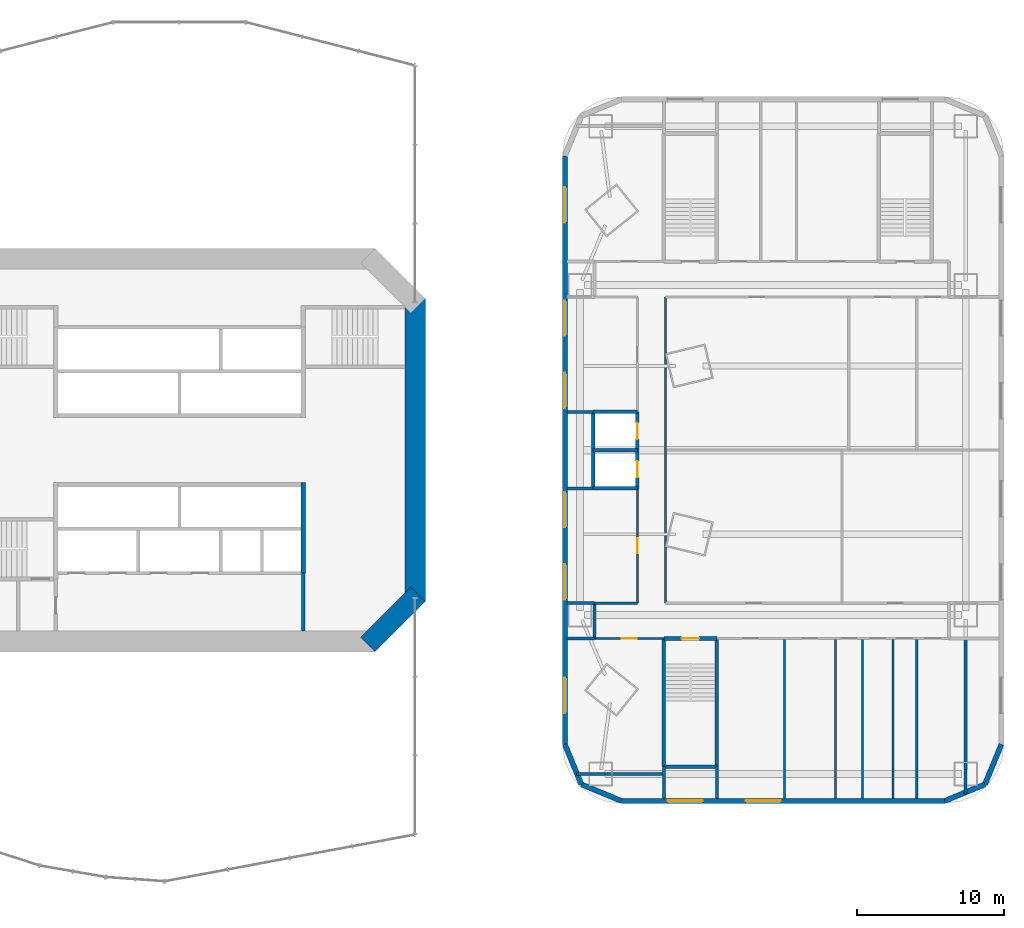
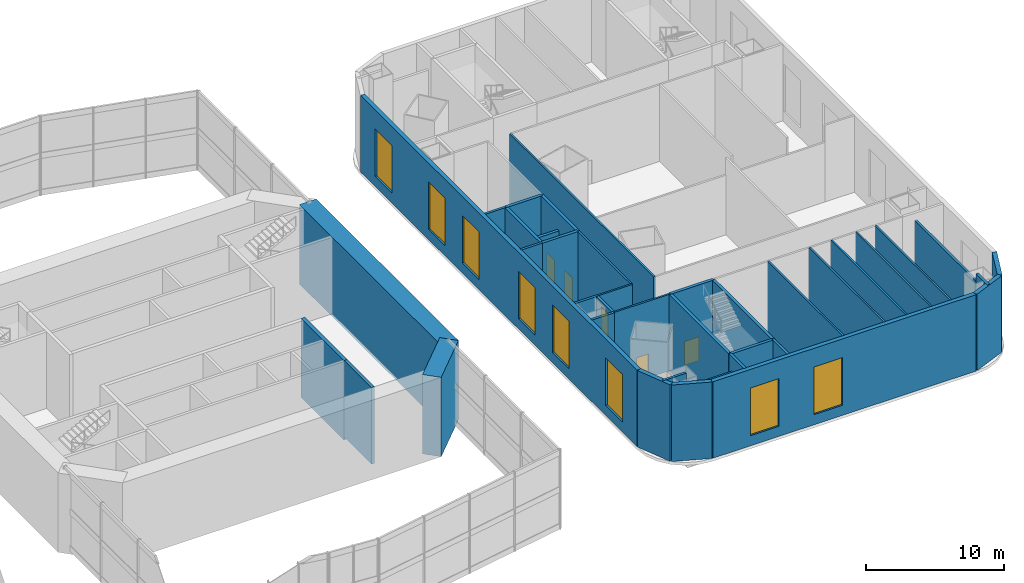
# One storey, part 13 of 19: 39 walls, 8 windows, 5 doors, 13 openings.
"""IFC4 building model written with IfcOpenShell, lengths in metres."""

from ifc_helpers import new_model, si_unit, direction, frame, frame_2d, origin, place, context, subcontext, project, spatial, rectangle, extrude, material, layer, layer_set, type_object, element, fill, save


model = new_model("IFC4")

# Units and contexts
model_context = context("Model", 3, precision=1e-05, world=origin(), true_north=direction((0.0, 1.0)))
body_context = subcontext(model_context, "Body", "Model", "MODEL_VIEW")
ifc_project = project(units=[si_unit("LENGTHUNIT", "METRE"), si_unit("AREAUNIT", "SQUARE_METRE"), si_unit("VOLUMEUNIT", "CUBIC_METRE"), si_unit("PLANEANGLEUNIT", "RADIAN"), si_unit("MASSUNIT", "GRAM", prefix="KILO")], contexts=[model_context])

# Site, building, storey
site_placement = place(None, origin())
site = spatial("IfcSite", under=ifc_project, at=site_placement, CompositionType="ELEMENT")
building_placement = place(site_placement, origin())
building = spatial("IfcBuilding", under=site, at=building_placement, Name="Marenthal Gate Tower", CompositionType="ELEMENT")
storey_placement = place(building_placement, frame((0.0, 0.0, 12.0)))
storey = spatial("IfcBuildingStorey", under=building, at=storey_placement, Name="L01", CompositionType="ELEMENT", Elevation=12.0)

# Walls
ifc_material_1 = material(Name="Concrete 60 MPa", Category="concrete")
ifc_layer_1 = layer(ifc_material_1, 1.39990234375)
ifc_layer_set_1 = layer_set([ifc_layer_1], Name="Core shear wall 1400")
wall_type_1 = type_object("IfcWallType", Name="Core shear wall 1400", PredefinedType="SHEAR", material=ifc_layer_set_1)
wall_1_placement = place(storey_placement, frame((12.794921875, -13.205078125, -0.25), z_axis=(0.0, 0.0, 1.0), x_axis=(0.707106781187, 0.707106781187, 0.0)))
element("IfcWall", 1, at=wall_1_placement, inside=storey, type_object=wall_type_1, Name="Core wall 01", PredefinedType="SHEAR", context=body_context, shape_type="SweptSolid", body=[
    extrude(rectangle(XDim=4.82275390625, YDim=1.39990234375, at=frame_2d((2.411376953125, 0.0))), origin(), (0.0, 0.0, 1.0), 7.0),
])
wall_2_placement = place(storey_placement, frame((16.0, -10.289794921875, -0.25), z_axis=(0.0, 0.0, 1.0), x_axis=(0.0, 1.0, 0.0)))
element("IfcWall", 2, at=wall_2_placement, inside=storey, type_object=wall_type_1, Name="Core wall 02", PredefinedType="SHEAR", context=body_context, shape_type="SweptSolid", body=[
    extrude(rectangle(XDim=20.57958984375, YDim=1.39990234375, at=frame_2d((10.289794921875, 0.0))), origin(), (0.0, 0.0, 1.0), 7.0),
])
ifc_material_2 = material(Name="Concrete 50 MPa", Category="concrete")
ifc_layer_2 = layer(ifc_material_2, 0.300048828125)
ifc_layer_set_2 = layer_set([ifc_layer_2], Name="Hoistway shear wall 300")
wall_type_2 = type_object("IfcWallType", Name="Hoistway shear wall 300", PredefinedType="SHEAR", material=ifc_layer_set_2)
wall_3_placement = place(storey_placement, frame((8.39990234375, -8.35009765625, -0.25), z_axis=(0.0, 0.0, 1.0), x_axis=(0.0, 1.0, 0.0)))
element("IfcWall", 3, at=wall_3_placement, inside=storey, type_object=wall_type_2, Name="Hoistway wall 33", PredefinedType="SHEAR", context=body_context, shape_type="SweptSolid", body=[
    extrude(rectangle(XDim=6.150146484375, YDim=0.300048828125, at=frame_2d((3.0751953125, 0.0))), origin(), (0.0, 0.0, 1.0), 7.0),
])
ifc_material_3 = material(Name="Concrete 40 MPa", Category="concrete")
ifc_layer_3 = layer(ifc_material_3, 0.25)
ifc_layer_set_3 = layer_set([ifc_layer_3], Name="Hoistway wall 250")
wall_type_3 = type_object("IfcWallType", Name="Hoistway wall 250", PredefinedType="STANDARD", material=ifc_layer_set_3)
wall_4_placement = place(storey_placement, frame((28.10009765625, -2.60009765625, 0.0), z_axis=(0.0, 0.0, 1.0), x_axis=(1.0, 0.0, 0.0)))
element("IfcWall", 4, at=wall_4_placement, inside=storey, type_object=wall_type_3, Name="Hoistway wall 37", PredefinedType="STANDARD", context=body_context, shape_type="SweptSolid", body=[
    extrude(rectangle(XDim=3.0, YDim=0.25, at=frame_2d((1.5, 0.0))), origin(), (0.0, 0.0, 1.0), 6.75),
])
wall_5_placement = place(storey_placement, frame((28.10009765625, 0.0, 0.0), z_axis=(0.0, 0.0, 1.0), x_axis=(1.0, 0.0, 0.0)))
element("IfcWall", 5, at=wall_5_placement, inside=storey, type_object=wall_type_3, Name="Hoistway wall 39", PredefinedType="STANDARD", context=body_context, shape_type="SweptSolid", body=[
    extrude(rectangle(XDim=3.0, YDim=0.25, at=frame_2d((1.5, 0.0))), origin(), (0.0, 0.0, 1.0), 5.25),
])
wall_6_placement = place(storey_placement, frame((28.10009765625, 2.60009765625, 0.0), z_axis=(0.0, 0.0, 1.0), x_axis=(1.0, 0.0, 0.0)))
element("IfcWall", 6, at=wall_6_placement, inside=storey, type_object=wall_type_3, Name="Hoistway wall 41", PredefinedType="STANDARD", context=body_context, shape_type="SweptSolid", body=[
    extrude(rectangle(XDim=3.0, YDim=0.25, at=frame_2d((1.5, 0.0))), origin(), (0.0, 0.0, 1.0), 6.75),
])

# Wall, openings, doors
wall_7_placement = place(storey_placement, frame((31.10009765625, -2.60009765625, 0.0), z_axis=(0.0, 0.0, 1.0), x_axis=(0.0, 1.0, 0.0)))
wall_7 = element("IfcWall", 7, at=wall_7_placement, inside=storey, type_object=wall_type_3, Name="Hoistway wall 42", PredefinedType="STANDARD", context=body_context, shape_type="SweptSolid", body=[
    extrude(rectangle(XDim=5.2001953125, YDim=0.25, at=frame_2d((2.60009765625, 0.0))), origin(), (0.0, 0.0, 1.0), 6.75),
])
opening_1_placement = place(wall_7_placement, frame((0.75, 0.0, 0.0)))
opening_1 = element("IfcOpeningElement", 8, at=opening_1_placement, cuts=wall_7, Name="Opening LD.01", PredefinedType="OPENING", context=body_context, shape_type="SweptSolid", body=[
    extrude(rectangle(XDim=1.10009765625, YDim=2.10009765625, at=frame_2d((0.550048828125, 1.050048828125))), frame((0.0, 0.135009765625, 0.0), z_axis=(0.0, -1.0, 0.0), x_axis=(1.0, 0.0, 0.0)), (0.0, 0.0, 1.0), 0.27001953125),
])
opening_2_placement = place(wall_7_placement, frame((3.35009765625, 0.0, 0.0)))
opening_2 = element("IfcOpeningElement", 9, at=opening_2_placement, cuts=wall_7, Name="Opening LD.02", PredefinedType="OPENING", context=body_context, shape_type="SweptSolid", body=[
    extrude(rectangle(XDim=1.10009765625, YDim=2.10009765625, at=frame_2d((0.550048828125, 1.050048828125))), frame((0.0, 0.135009765625, 0.0), z_axis=(0.0, -1.0, 0.0), x_axis=(1.0, 0.0, 0.0)), (0.0, 0.0, 1.0), 0.27001953125),
])
ifc_material_4 = material(Name="Stainless steel sliding door", Category="steel")
door_type_1 = type_object("IfcDoorType", Name="Lift landing door FD 90 1100 x 2100", OperationType="DOUBLE_DOOR_SLIDING", PredefinedType="DOOR", material=ifc_material_4)
door_1_placement = place(opening_1_placement, origin())
door_1 = element("IfcDoor", 10, at=door_1_placement, inside=storey, type_object=door_type_1, Name="Lift landing door 01", OperationType="DOUBLE_DOOR_SLIDING", OverallHeight=2.10009765625, OverallWidth=1.10009765625, PredefinedType="DOOR", context=body_context, shape_type="SweptSolid", body=[
    extrude(rectangle(XDim=1.10009765625, YDim=2.10009765625, at=frame_2d((0.550048828125, 1.050048828125))), frame((0.0, 0.02490234375, 0.0), z_axis=(0.0, -1.0, 0.0), x_axis=(1.0, 0.0, 0.0)), (0.0, 0.0, 1.0), 0.050048828125),
])
fill(opening_1, door_1)
door_2_placement = place(opening_2_placement, origin())
door_2 = element("IfcDoor", 11, at=door_2_placement, inside=storey, type_object=door_type_1, Name="Lift landing door 02", OperationType="DOUBLE_DOOR_SLIDING", OverallHeight=2.10009765625, OverallWidth=1.10009765625, PredefinedType="DOOR", context=body_context, shape_type="SweptSolid", body=[
    extrude(rectangle(XDim=1.10009765625, YDim=2.10009765625, at=frame_2d((0.550048828125, 1.050048828125))), frame((0.0, 0.02490234375, 0.0), z_axis=(0.0, -1.0, 0.0), x_axis=(1.0, 0.0, 0.0)), (0.0, 0.0, 1.0), 0.050048828125),
])
fill(opening_2, door_2)

# Wall
wall_8_placement = place(storey_placement, frame((28.10009765625, -2.60009765625, 0.0), z_axis=(0.0, 0.0, 1.0), x_axis=(0.0, 1.0, 0.0)))
element("IfcWall", 12, at=wall_8_placement, inside=storey, type_object=wall_type_3, Name="Hoistway wall 43", PredefinedType="STANDARD", context=body_context, shape_type="SweptSolid", body=[
    extrude(rectangle(XDim=5.2001953125, YDim=0.25, at=frame_2d((2.60009765625, 0.0))), origin(), (0.0, 0.0, 1.0), 6.75),
])

# Wall, opening, door
ifc_material_5 = material(Name="Gypsum board on steel studs", Category="steel")
ifc_layer_4 = layer(ifc_material_5, 0.14990234375)
ifc_layer_set_4 = layer_set([ifc_layer_4], Name="Partition 150")
wall_type_4 = type_object("IfcWallType", Name="Partition 150", PredefinedType="PARTITIONING", material=ifc_layer_set_4)
wall_9_placement = place(storey_placement, frame((28.199951171875, -12.800048828125, 0.0), z_axis=(0.0, 0.0, 1.0), x_axis=(1.0, 0.0, 0.0)))
wall_9 = element("IfcWall", 13, at=wall_9_placement, inside=storey, type_object=wall_type_4, Name="Partition wall 49", PredefinedType="PARTITIONING", context=body_context, shape_type="SweptSolid", body=[
    extrude(rectangle(XDim=4.705078125, YDim=0.14990234375, at=frame_2d((2.3525390625, 0.0))), origin(), (0.0, 0.0, 1.0), 6.75),
])
opening_3_placement = place(wall_9_placement, frame((1.847412109375, 0.0, 0.0)))
opening_3 = element("IfcOpeningElement", 14, at=opening_3_placement, cuts=wall_9, Name="Opening D012.18", PredefinedType="OPENING", context=body_context, shape_type="SweptSolid", body=[
    extrude(rectangle(XDim=1.0, YDim=2.10009765625, at=frame_2d((0.5, 1.050048828125))), frame((0.0, 0.0849609375, 0.0), z_axis=(0.0, -1.0, 0.0), x_axis=(1.0, 0.0, 0.0)), (0.0, 0.0, 1.0), 0.169921875),
])
ifc_material_6 = material(Name="Timber door", Category="wood")
door_type_2 = type_object("IfcDoorType", Name="Door 1000 x 2100", OperationType="NOTDEFINED", PredefinedType="DOOR", material=ifc_material_6)
door_3_placement = place(opening_3_placement, frame((1.0, 0.0, 0.0), z_axis=(0.0, 0.0, 1.0), x_axis=(-1.0, 0.0, 0.0)))
door_3 = element("IfcDoor", 15, at=door_3_placement, inside=storey, type_object=door_type_2, Name="Door D012.18", OperationType="SINGLE_SWING_LEFT", OverallHeight=2.10009765625, OverallWidth=1.0, PredefinedType="DOOR", context=body_context, shape_type="SweptSolid", body=[
    extrude(rectangle(XDim=1.0, YDim=2.10009765625, at=frame_2d((0.5, 1.050048828125))), frame((0.0, 0.02490234375, 0.0), z_axis=(0.0, -1.0, 0.0), x_axis=(1.0, 0.0, 0.0)), (0.0, 0.0, 1.0), 0.050048828125),
])
fill(opening_3, door_3)

# Walls
wall_10_placement = place(storey_placement, frame((28.199951171875, -10.39990234375, 0.0), z_axis=(0.0, 0.0, 1.0), x_axis=(1.0, 0.0, 0.0)))
element("IfcWall", 16, at=wall_10_placement, inside=storey, type_object=wall_type_4, Name="Partition wall 54", PredefinedType="PARTITIONING", context=body_context, shape_type="SweptSolid", body=[
    extrude(rectangle(XDim=2.905029296875, YDim=0.14990234375, at=frame_2d((1.45263671875, 0.0))), origin(), (0.0, 0.0, 1.0), 6.75),
])
wall_11_placement = place(storey_placement, frame((41.10009765625, -23.669921875, 0.0), z_axis=(0.0, 0.0, 1.0), x_axis=(0.0, 1.0, 0.0)))
element("IfcWall", 17, at=wall_11_placement, inside=storey, type_object=wall_type_4, Name="Partition wall 70", PredefinedType="PARTITIONING", context=body_context, shape_type="SweptSolid", body=[
    extrude(rectangle(XDim=10.869873046875, YDim=0.14990234375, at=frame_2d((5.43505859375, 0.0))), origin(), (0.0, 0.0, 1.0), 6.75),
])
wall_12_placement = place(storey_placement, frame((33.0, -10.39990234375, 0.0), z_axis=(0.0, 0.0, 1.0), x_axis=(0.0, 1.0, 0.0)))
element("IfcWall", 18, at=wall_12_placement, inside=storey, type_object=wall_type_4, Name="Partition wall 72", PredefinedType="PARTITIONING", context=body_context, shape_type="SweptSolid", body=[
    extrude(rectangle(XDim=20.7998046875, YDim=0.14990234375, at=frame_2d((10.39990234375, 0.0))), origin(), (0.0, 0.0, 1.0), 6.75),
])

# Wall, opening, door
wall_13_placement = place(storey_placement, frame((31.10009765625, -10.39990234375, 0.0), z_axis=(0.0, 0.0, 1.0), x_axis=(0.0, 1.0, 0.0)))
wall_13 = element("IfcWall", 19, at=wall_13_placement, inside=storey, type_object=wall_type_4, Name="Partition wall 73", PredefinedType="PARTITIONING", context=body_context, shape_type="SweptSolid", body=[
    extrude(rectangle(XDim=7.804931640625, YDim=0.14990234375, at=frame_2d((3.90234375, 0.0))), origin(), (0.0, 0.0, 1.0), 6.75),
])
opening_4_placement = place(wall_13_placement, frame((3.39990234375, 0.0, 0.0)))
opening_4 = element("IfcOpeningElement", 20, at=opening_4_placement, cuts=wall_13, Name="Opening D012.16", PredefinedType="OPENING", context=body_context, shape_type="SweptSolid", body=[
    extrude(rectangle(XDim=1.0, YDim=2.10009765625, at=frame_2d((0.5, 1.050048828125))), frame((0.0, 0.0849609375, 0.0), z_axis=(0.0, -1.0, 0.0), x_axis=(1.0, 0.0, 0.0)), (0.0, 0.0, 1.0), 0.169921875),
])
door_4_placement = place(opening_4_placement, origin())
door_4 = element("IfcDoor", 21, at=door_4_placement, inside=storey, type_object=door_type_2, Name="Door D012.16", OperationType="SINGLE_SWING_RIGHT", OverallHeight=2.10009765625, OverallWidth=1.0, PredefinedType="DOOR", context=body_context, shape_type="SweptSolid", body=[
    extrude(rectangle(XDim=1.0, YDim=2.10009765625, at=frame_2d((0.5, 1.050048828125))), frame((0.0, 0.02490234375, 0.0), z_axis=(0.0, -1.0, 0.0), x_axis=(1.0, 0.0, 0.0)), (0.0, 0.0, 1.0), 0.050048828125),
])
fill(opening_4, door_4)

# Walls
ifc_material_7 = material(Name="Gypsum board on steel studs", Category="steel")
ifc_layer_5 = layer(ifc_material_7, 0.199951171875)
ifc_layer_set_5 = layer_set([ifc_layer_5], Name="Partition 200")
wall_type_5 = type_object("IfcWallType", Name="Partition 200", PredefinedType="PARTITIONING", material=ifc_layer_set_5)
wall_14_placement = place(storey_placement, frame((26.951904296875, -22.0, 0.0), z_axis=(0.0, 0.0, 1.0), x_axis=(1.0, 0.0, 0.0)))
element("IfcWall", 22, at=wall_14_placement, inside=storey, type_object=wall_type_5, Name="Partition wall 84", PredefinedType="PARTITIONING", context=body_context, shape_type="SweptSolid", body=[
    extrude(rectangle(XDim=1.947998046875, YDim=0.199951171875, at=frame_2d((0.97412109375, 0.0))), origin(), (0.0, 0.0, 1.0), 6.75),
])
wall_15_placement = place(storey_placement, frame((28.89990234375, -22.0, 0.0), z_axis=(0.0, 0.0, 1.0), x_axis=(1.0, 0.0, 0.0)))
element("IfcWall", 23, at=wall_15_placement, inside=storey, type_object=wall_type_5, Name="Partition wall 166", PredefinedType="PARTITIONING", context=body_context, shape_type="SweptSolid", body=[
    extrude(rectangle(XDim=4.0, YDim=0.199951171875, at=frame_2d((2.0, 0.0))), origin(), (0.0, 0.0, 1.0), 5.449951171875),
])
for number, where, z_axis, x_axis, name in (
    (24, (26.330078125, -12.800048828125, 0.0), (0.0, 0.0, 1.0), (1.0, 0.0, 0.0), "Partition wall 87"),
    (25, (26.330078125, -10.39990234375, 0.0), (0.0, 0.0, 1.0), (1.0, 0.0, 0.0), "Partition wall 91"),
):
    element("IfcWall", number, at=place(storey_placement, frame(where, z_axis=z_axis, x_axis=x_axis)), inside=storey, type_object=wall_type_5, Name=name, PredefinedType="PARTITIONING", context=body_context, shape_type="SweptSolid", body=[
        extrude(rectangle(XDim=1.873779296875, YDim=0.199951171875, at=frame_2d((0.93701171875, 0.0))), origin(), (0.0, 0.0, 1.0), 6.75),
    ])
for number, where, z_axis, x_axis, name in (
    (26, (26.330078125, -2.60009765625, 0.0), (0.0, 0.0, 1.0), (1.0, 0.0, 0.0), "Partition wall 94"),
    (27, (26.330078125, 2.60009765625, 0.0), (0.0, 0.0, 1.0), (1.0, 0.0, 0.0), "Partition wall 96"),
):
    element("IfcWall", number, at=place(storey_placement, frame(where, z_axis=z_axis, x_axis=x_axis)), inside=storey, type_object=wall_type_5, Name=name, PredefinedType="PARTITIONING", context=body_context, shape_type="SweptSolid", body=[
        extrude(rectangle(XDim=1.77001953125, YDim=0.199951171875, at=frame_2d((0.885009765625, 0.0))), origin(), (0.0, 0.0, 1.0), 6.75),
    ])
wall_16_placement = place(storey_placement, frame((53.39990234375, -23.35546875, 0.0), z_axis=(0.0, 0.0, 1.0), x_axis=(0.0, 1.0, 0.0)))
element("IfcWall", 28, at=wall_16_placement, inside=storey, type_object=wall_type_5, Name="Partition wall 07", PredefinedType="PARTITIONING", context=body_context, shape_type="SweptSolid", body=[
    extrude(rectangle(XDim=1.655517578125, YDim=0.199951171875, at=frame_2d((0.82763671875, 0.0))), origin(), (0.0, 0.0, 1.0), 6.75),
])
wall_17_placement = place(storey_placement, frame((53.39990234375, -21.699951171875, 0.0), z_axis=(0.0, 0.0, 1.0), x_axis=(0.0, 1.0, 0.0)))
element("IfcWall", 29, at=wall_17_placement, inside=storey, type_object=wall_type_5, Name="Partition wall 169", PredefinedType="PARTITIONING", context=body_context, shape_type="SweptSolid", body=[
    extrude(rectangle(XDim=8.89990234375, YDim=0.199951171875, at=frame_2d((4.449951171875, 0.0))), origin(), (0.0, 0.0, 1.0), 6.06689453125),
])
for number, where, z_axis, x_axis, name in (
    (30, (36.5, -23.669921875, 0.0), (0.0, 0.0, 1.0), (0.0, 1.0, 0.0), "Partition wall 12"),
    (31, (32.89990234375, -23.669921875, 0.0), (0.0, 0.0, 1.0), (0.0, 1.0, 0.0), "Partition wall 14"),
):
    element("IfcWall", number, at=place(storey_placement, frame(where, z_axis=z_axis, x_axis=x_axis)), inside=storey, type_object=wall_type_5, Name=name, PredefinedType="PARTITIONING", context=body_context, shape_type="SweptSolid", body=[
        extrude(rectangle(XDim=2.173828125, YDim=0.199951171875, at=frame_2d((1.0869140625, 0.0))), origin(), (0.0, 0.0, 1.0), 6.75),
    ])
wall_18_placement = place(storey_placement, frame((28.199951171875, -12.800048828125, 0.0), z_axis=(0.0, 0.0, 1.0), x_axis=(0.0, 1.0, 0.0)))
element("IfcWall", 32, at=wall_18_placement, inside=storey, type_object=wall_type_5, Name="Partition wall 16", PredefinedType="PARTITIONING", context=body_context, shape_type="SweptSolid", body=[
    extrude(rectangle(XDim=2.400146484375, YDim=0.199951171875, at=frame_2d((1.2001953125, 0.0))), origin(), (0.0, 0.0, 1.0), 6.75),
])
ifc_material_8 = material(Name="Concrete 40 MPa", Category="concrete")
ifc_layer_6 = layer(ifc_material_8, 0.25)
ifc_layer_set_6 = layer_set([ifc_layer_6], Name="Stair enclosure wall 250")
wall_type_6 = type_object("IfcWallType", Name="Stair enclosure wall 250", PredefinedType="STANDARD", material=ifc_layer_set_6)
wall_19_placement = place(storey_placement, frame((8.39990234375, -12.300048828125, 0.0), z_axis=(0.0, 0.0, 1.0), x_axis=(0.0, 1.0, 0.0)))
element("IfcWall", 33, at=wall_19_placement, inside=storey, type_object=wall_type_6, Name="Stair wall 32", PredefinedType="STANDARD", context=body_context, shape_type="SweptSolid", body=[
    extrude(rectangle(XDim=3.949951171875, YDim=0.25, at=frame_2d((1.97509765625, 0.0))), origin(), (0.0, 0.0, 1.0), 6.75),
])
ifc_material_9 = material(Name="Concrete 50 MPa", Category="concrete")
ifc_layer_7 = layer(ifc_material_9, 0.25)
ifc_layer_set_7 = layer_set([ifc_layer_7], Name="Stair shear wall 250")
wall_type_7 = type_object("IfcWallType", Name="Stair shear wall 250", PredefinedType="SHEAR", material=ifc_layer_set_7)
wall_20_placement = place(storey_placement, frame((32.89990234375, -21.5, 0.0), z_axis=(0.0, 0.0, 1.0), x_axis=(1.0, 0.0, 0.0)))
element("IfcWall", 34, at=wall_20_placement, inside=storey, type_object=wall_type_7, Name="Stair wall 30", PredefinedType="SHEAR", context=body_context, shape_type="SweptSolid", body=[
    extrude(rectangle(XDim=3.60009765625, YDim=0.25, at=frame_2d((1.800048828125, 0.0))), origin(), (0.0, 0.0, 1.0), 6.75),
])

# Wall, opening, door
wall_21_placement = place(storey_placement, frame((32.89501953125, -12.800048828125, 0.0), z_axis=(0.0, 0.0, 1.0), x_axis=(1.0, 0.0, 0.0)))
wall_21 = element("IfcWall", 35, at=wall_21_placement, inside=storey, type_object=wall_type_7, Name="Stair wall 32", PredefinedType="SHEAR", context=body_context, shape_type="SweptSolid", body=[
    extrude(rectangle(XDim=3.60986328125, YDim=0.25, at=frame_2d((1.804931640625, 0.0))), origin(), (0.0, 0.0, 1.0), 6.75),
])
opening_5_placement = place(wall_21_placement, frame((1.205078125, 0.0, 0.0)))
opening_5 = element("IfcOpeningElement", 36, at=opening_5_placement, cuts=wall_21, Name="Opening D001.03", PredefinedType="OPENING", context=body_context, shape_type="SweptSolid", body=[
    extrude(rectangle(XDim=1.199951171875, YDim=2.10009765625, at=frame_2d((0.60009765625, 1.050048828125))), frame((0.0, 0.135009765625, 0.0), z_axis=(0.0, -1.0, 0.0), x_axis=(1.0, 0.0, 0.0)), (0.0, 0.0, 1.0), 0.27001953125),
])
ifc_material_10 = material(Name="Steel fire door", Category="steel")
door_type_3 = type_object("IfcDoorType", Name="Fire door FD 90 1200 x 2100", OperationType="NOTDEFINED", PredefinedType="DOOR", material=ifc_material_10)
door_5_placement = place(opening_5_placement, frame((1.199951171875, 0.0, 0.0), z_axis=(0.0, 0.0, 1.0), x_axis=(-1.0, 0.0, 0.0)))
door_5 = element("IfcDoor", 37, at=door_5_placement, inside=storey, type_object=door_type_3, Name="Door D001.03", OperationType="SINGLE_SWING_LEFT", OverallHeight=2.10009765625, OverallWidth=1.199951171875, PredefinedType="DOOR", context=body_context, shape_type="SweptSolid", body=[
    extrude(rectangle(XDim=1.199951171875, YDim=2.10009765625, at=frame_2d((0.60009765625, 1.050048828125))), frame((0.0, 0.02490234375, 0.0), z_axis=(0.0, -1.0, 0.0), x_axis=(1.0, 0.0, 0.0)), (0.0, 0.0, 1.0), 0.050048828125),
])
fill(opening_5, door_5)

# Walls
for number, where, z_axis, x_axis, name in (
    (38, (36.5, -21.5, 0.0), (0.0, 0.0, 1.0), (0.0, 1.0, 0.0), "Stair wall 43"),
    (39, (32.89990234375, -21.5, 0.0), (0.0, 0.0, 1.0), (0.0, 1.0, 0.0), "Stair wall 45"),
):
    element("IfcWall", number, at=place(storey_placement, frame(where, z_axis=z_axis, x_axis=x_axis)), inside=storey, type_object=wall_type_7, Name=name, PredefinedType="SHEAR", context=body_context, shape_type="SweptSolid", body=[
        extrude(rectangle(XDim=8.699951171875, YDim=0.25, at=frame_2d((4.35009765625, 0.0))), origin(), (0.0, 0.0, 1.0), 6.75),
    ])
ifc_material_11 = material(Name="Terracotta cladding on insulated concrete-block backing", Category="masonry")
ifc_layer_8 = layer(ifc_material_11, 0.35009765625)
ifc_layer_set_8 = layer_set([ifc_layer_8], Name="Terracotta cladding wall 350")
wall_type_8 = type_object("IfcWallType", Name="Terracotta cladding wall 350", PredefinedType="SOLIDWALL", material=ifc_layer_set_8)
for number, where, z_axis, x_axis, name in (
    (40, (51.988525390625, -23.824951171875, 0.0), (0.0, 0.0, 1.0), (0.924274813566, 0.381727741993, 0.0), "Terracotta cladding wall L01 E1"),
    (41, (54.70361328125, -22.70361328125, 0.0), (0.0, 0.0, 1.0), (0.381727741993, 0.924274813566, 0.0), "Terracotta cladding wall L01 E2"),
):
    element("IfcWall", number, at=place(storey_placement, frame(where, z_axis=z_axis, x_axis=x_axis)), inside=storey, type_object=wall_type_8, Name=name, PredefinedType="SOLIDWALL", context=body_context, shape_type="SweptSolid", body=[
        extrude(rectangle(XDim=2.9375, YDim=0.35009765625, at=frame_2d((1.46875, 0.0))), origin(), (0.0, 0.0, 1.0), 6.75),
    ])

# Wall, openings, windows
wall_22_placement = place(storey_placement, frame((26.175048828125, 19.988525390625, 0.0), z_axis=(0.0, 0.0, 1.0), x_axis=(0.0, -1.0, 0.0)))
wall_22 = element("IfcWall", 42, at=wall_22_placement, inside=storey, type_object=wall_type_8, Name="Terracotta cladding wall L01 E9", PredefinedType="SOLIDWALL", context=body_context, shape_type="SweptSolid", body=[
    extrude(rectangle(XDim=39.97705078125, YDim=0.35009765625, at=frame_2d((19.988525390625, 0.0))), origin(), (0.0, 0.0, 1.0), 6.75),
])
opening_6_placement = place(wall_22_placement, frame((2.13134765625, 0.0, 0.89990234375)))
opening_6 = element("IfcOpeningElement", 43, at=opening_6_placement, cuts=wall_22, Name="Opening WN4-L01-09", PredefinedType="OPENING", context=body_context, shape_type="SweptSolid", body=[
    extrude(rectangle(XDim=2.39990234375, YDim=4.199951171875, at=frame_2d((1.199951171875, 2.10009765625))), frame((0.0, 0.18505859375, 0.0), z_axis=(0.0, -1.0, 0.0), x_axis=(1.0, 0.0, 0.0)), (0.0, 0.0, 1.0), 0.3701171875),
])
opening_7_placement = place(wall_22_placement, frame((9.83837890625, 0.0, 0.89990234375)))
opening_7 = element("IfcOpeningElement", 44, at=opening_7_placement, cuts=wall_22, Name="Opening WN4-L01-10", PredefinedType="OPENING", context=body_context, shape_type="SweptSolid", body=[
    extrude(rectangle(XDim=2.39990234375, YDim=4.199951171875, at=frame_2d((1.199951171875, 2.10009765625))), frame((0.0, 0.18505859375, 0.0), z_axis=(0.0, -1.0, 0.0), x_axis=(1.0, 0.0, 0.0)), (0.0, 0.0, 1.0), 0.3701171875),
])
opening_8_placement = place(wall_22_placement, frame((14.738525390625, 0.0, 0.89990234375)))
opening_8 = element("IfcOpeningElement", 45, at=opening_8_placement, cuts=wall_22, Name="Opening WN4-L01-11", PredefinedType="OPENING", context=body_context, shape_type="SweptSolid", body=[
    extrude(rectangle(XDim=2.39990234375, YDim=4.199951171875, at=frame_2d((1.199951171875, 2.10009765625))), frame((0.0, 0.18505859375, 0.0), z_axis=(0.0, -1.0, 0.0), x_axis=(1.0, 0.0, 0.0)), (0.0, 0.0, 1.0), 0.3701171875),
])
opening_9_placement = place(wall_22_placement, frame((22.83837890625, 0.0, 0.89990234375)))
opening_9 = element("IfcOpeningElement", 46, at=opening_9_placement, cuts=wall_22, Name="Opening WN4-L01-12", PredefinedType="OPENING", context=body_context, shape_type="SweptSolid", body=[
    extrude(rectangle(XDim=2.39990234375, YDim=4.199951171875, at=frame_2d((1.199951171875, 2.10009765625))), frame((0.0, 0.18505859375, 0.0), z_axis=(0.0, -1.0, 0.0), x_axis=(1.0, 0.0, 0.0)), (0.0, 0.0, 1.0), 0.3701171875),
])
opening_10_placement = place(wall_22_placement, frame((27.738525390625, 0.0, 0.89990234375)))
opening_10 = element("IfcOpeningElement", 47, at=opening_10_placement, cuts=wall_22, Name="Opening WN4-L01-13", PredefinedType="OPENING", context=body_context, shape_type="SweptSolid", body=[
    extrude(rectangle(XDim=2.39990234375, YDim=4.199951171875, at=frame_2d((1.199951171875, 2.10009765625))), frame((0.0, 0.18505859375, 0.0), z_axis=(0.0, -1.0, 0.0), x_axis=(1.0, 0.0, 0.0)), (0.0, 0.0, 1.0), 0.3701171875),
])
opening_11_placement = place(wall_22_placement, frame((35.445556640625, 0.0, 0.89990234375)))
opening_11 = element("IfcOpeningElement", 48, at=opening_11_placement, cuts=wall_22, Name="Opening WN4-L01-14", PredefinedType="OPENING", context=body_context, shape_type="SweptSolid", body=[
    extrude(rectangle(XDim=2.39990234375, YDim=4.199951171875, at=frame_2d((1.199951171875, 2.10009765625))), frame((0.0, 0.18505859375, 0.0), z_axis=(0.0, -1.0, 0.0), x_axis=(1.0, 0.0, 0.0)), (0.0, 0.0, 1.0), 0.3701171875),
])
ifc_material_12 = material(Name="Aluminium and laminated impact-rated glass", Category="aluminium")
window_type = type_object("IfcWindowType", Name="Window 2400x4200 impact-rated", PartitioningType="DOUBLE_PANEL_VERTICAL", PredefinedType="WINDOW", material=ifc_material_12)
window_1_placement = place(opening_6_placement, origin())
window_1 = element("IfcWindow", 49, at=window_1_placement, inside=storey, type_object=window_type, Name="Window L01 E9 1", OverallHeight=4.199951171875, OverallWidth=2.39990234375, PartitioningType="SINGLE_PANEL", PredefinedType="WINDOW", context=body_context, shape_type="SweptSolid", body=[
    extrude(rectangle(XDim=2.39990234375, YDim=4.199951171875, at=frame_2d((1.199951171875, 2.10009765625))), frame((0.0, 0.030029296875, 0.0), z_axis=(0.0, -1.0, 0.0), x_axis=(1.0, 0.0, 0.0)), (0.0, 0.0, 1.0), 0.06005859375),
])
fill(opening_6, window_1)
window_2_placement = place(opening_7_placement, origin())
window_2 = element("IfcWindow", 50, at=window_2_placement, inside=storey, type_object=window_type, Name="Window L01 E9 2", OverallHeight=4.199951171875, OverallWidth=2.39990234375, PartitioningType="SINGLE_PANEL", PredefinedType="WINDOW", context=body_context, shape_type="SweptSolid", body=[
    extrude(rectangle(XDim=2.39990234375, YDim=4.199951171875, at=frame_2d((1.199951171875, 2.10009765625))), frame((0.0, 0.030029296875, 0.0), z_axis=(0.0, -1.0, 0.0), x_axis=(1.0, 0.0, 0.0)), (0.0, 0.0, 1.0), 0.06005859375),
])
fill(opening_7, window_2)
window_3_placement = place(opening_8_placement, origin())
window_3 = element("IfcWindow", 51, at=window_3_placement, inside=storey, type_object=window_type, Name="Window L01 E9 3", OverallHeight=4.199951171875, OverallWidth=2.39990234375, PartitioningType="SINGLE_PANEL", PredefinedType="WINDOW", context=body_context, shape_type="SweptSolid", body=[
    extrude(rectangle(XDim=2.39990234375, YDim=4.199951171875, at=frame_2d((1.199951171875, 2.10009765625))), frame((0.0, 0.030029296875, 0.0), z_axis=(0.0, -1.0, 0.0), x_axis=(1.0, 0.0, 0.0)), (0.0, 0.0, 1.0), 0.06005859375),
])
fill(opening_8, window_3)
window_4_placement = place(opening_9_placement, origin())
window_4 = element("IfcWindow", 52, at=window_4_placement, inside=storey, type_object=window_type, Name="Window L01 E9 4", OverallHeight=4.199951171875, OverallWidth=2.39990234375, PartitioningType="SINGLE_PANEL", PredefinedType="WINDOW", context=body_context, shape_type="SweptSolid", body=[
    extrude(rectangle(XDim=2.39990234375, YDim=4.199951171875, at=frame_2d((1.199951171875, 2.10009765625))), frame((0.0, 0.030029296875, 0.0), z_axis=(0.0, -1.0, 0.0), x_axis=(1.0, 0.0, 0.0)), (0.0, 0.0, 1.0), 0.06005859375),
])
fill(opening_9, window_4)
window_5_placement = place(opening_10_placement, origin())
window_5 = element("IfcWindow", 53, at=window_5_placement, inside=storey, type_object=window_type, Name="Window L01 E9 5", OverallHeight=4.199951171875, OverallWidth=2.39990234375, PartitioningType="SINGLE_PANEL", PredefinedType="WINDOW", context=body_context, shape_type="SweptSolid", body=[
    extrude(rectangle(XDim=2.39990234375, YDim=4.199951171875, at=frame_2d((1.199951171875, 2.10009765625))), frame((0.0, 0.030029296875, 0.0), z_axis=(0.0, -1.0, 0.0), x_axis=(1.0, 0.0, 0.0)), (0.0, 0.0, 1.0), 0.06005859375),
])
fill(opening_10, window_5)
window_6_placement = place(opening_11_placement, origin())
window_6 = element("IfcWindow", 54, at=window_6_placement, inside=storey, type_object=window_type, Name="Window L01 E9 6", OverallHeight=4.199951171875, OverallWidth=2.39990234375, PartitioningType="SINGLE_PANEL", PredefinedType="WINDOW", context=body_context, shape_type="SweptSolid", body=[
    extrude(rectangle(XDim=2.39990234375, YDim=4.199951171875, at=frame_2d((1.199951171875, 2.10009765625))), frame((0.0, 0.030029296875, 0.0), z_axis=(0.0, -1.0, 0.0), x_axis=(1.0, 0.0, 0.0)), (0.0, 0.0, 1.0), 0.06005859375),
])
fill(opening_11, window_6)

# Walls
for number, where, z_axis, x_axis, name in (
    (55, (26.175048828125, -19.988525390625, 0.0), (0.0, 0.0, 1.0), (0.381727741993, -0.924274813566, 0.0), "Terracotta cladding wall L01 E10"),
    (56, (27.29638671875, -22.70361328125, 0.0), (0.0, 0.0, 1.0), (0.924274813566, -0.381727741993, 0.0), "Terracotta cladding wall L01 E11"),
):
    element("IfcWall", number, at=place(storey_placement, frame(where, z_axis=z_axis, x_axis=x_axis)), inside=storey, type_object=wall_type_8, Name=name, PredefinedType="SOLIDWALL", context=body_context, shape_type="SweptSolid", body=[
        extrude(rectangle(XDim=2.9375, YDim=0.35009765625, at=frame_2d((1.46875, 0.0))), origin(), (0.0, 0.0, 1.0), 6.75),
    ])

# Wall, openings, windows
wall_23_placement = place(storey_placement, frame((30.011474609375, -23.824951171875, 0.0), z_axis=(0.0, 0.0, 1.0), x_axis=(1.0, 0.0, 0.0)))
wall_23 = element("IfcWall", 57, at=wall_23_placement, inside=storey, type_object=wall_type_8, Name="Terracotta cladding wall L01 E12", PredefinedType="SOLIDWALL", context=body_context, shape_type="SweptSolid", body=[
    extrude(rectangle(XDim=21.97705078125, YDim=0.35009765625, at=frame_2d((10.988525390625, 0.0))), origin(), (0.0, 0.0, 1.0), 6.75),
])
opening_12_placement = place(wall_23_placement, frame((3.138427734375, 0.0, 0.89990234375)))
opening_12 = element("IfcOpeningElement", 58, at=opening_12_placement, cuts=wall_23, Name="Opening WN4-L01-15", PredefinedType="OPENING", context=body_context, shape_type="SweptSolid", body=[
    extrude(rectangle(XDim=2.39990234375, YDim=4.199951171875, at=frame_2d((1.199951171875, 2.10009765625))), frame((0.0, 0.18505859375, 0.0), z_axis=(0.0, -1.0, 0.0), x_axis=(1.0, 0.0, 0.0)), (0.0, 0.0, 1.0), 0.3701171875),
])
opening_13_placement = place(wall_23_placement, frame((8.4384765625, 0.0, 0.89990234375)))
opening_13 = element("IfcOpeningElement", 59, at=opening_13_placement, cuts=wall_23, Name="Opening WN4-L01-16", PredefinedType="OPENING", context=body_context, shape_type="SweptSolid", body=[
    extrude(rectangle(XDim=2.39990234375, YDim=4.199951171875, at=frame_2d((1.199951171875, 2.10009765625))), frame((0.0, 0.18505859375, 0.0), z_axis=(0.0, -1.0, 0.0), x_axis=(1.0, 0.0, 0.0)), (0.0, 0.0, 1.0), 0.3701171875),
])
window_7_placement = place(opening_12_placement, origin())
window_7 = element("IfcWindow", 60, at=window_7_placement, inside=storey, type_object=window_type, Name="Window L01 E12 1", OverallHeight=4.199951171875, OverallWidth=2.39990234375, PartitioningType="SINGLE_PANEL", PredefinedType="WINDOW", context=body_context, shape_type="SweptSolid", body=[
    extrude(rectangle(XDim=2.39990234375, YDim=4.199951171875, at=frame_2d((1.199951171875, 2.10009765625))), frame((0.0, 0.030029296875, 0.0), z_axis=(0.0, -1.0, 0.0), x_axis=(1.0, 0.0, 0.0)), (0.0, 0.0, 1.0), 0.06005859375),
])
fill(opening_12, window_7)
window_8_placement = place(opening_13_placement, origin())
window_8 = element("IfcWindow", 61, at=window_8_placement, inside=storey, type_object=window_type, Name="Window L01 E12 2", OverallHeight=4.199951171875, OverallWidth=2.39990234375, PartitioningType="SINGLE_PANEL", PredefinedType="WINDOW", context=body_context, shape_type="SweptSolid", body=[
    extrude(rectangle(XDim=2.39990234375, YDim=4.199951171875, at=frame_2d((1.199951171875, 2.10009765625))), frame((0.0, 0.030029296875, 0.0), z_axis=(0.0, -1.0, 0.0), x_axis=(1.0, 0.0, 0.0)), (0.0, 0.0, 1.0), 0.06005859375),
])
fill(opening_13, window_8)

# Walls
ifc_material_13 = material(Name="Gypsum board on steel studs", Category="steel")
ifc_layer_9 = layer(ifc_material_13, 0.14990234375)
ifc_layer_set_9 = layer_set([ifc_layer_9], Name="Wet room partition 150")
wall_type_9 = type_object("IfcWallType", Name="Wet room partition 150", PredefinedType="PARTITIONING", material=ifc_layer_set_9)
for number, where, z_axis, x_axis, name in (
    (62, (50.070068359375, -23.669921875, 0.0), (0.0, 0.0, 1.0), (0.0, 1.0, 0.0), "Wet wall 55"),
    (63, (48.4599609375, -23.669921875, 0.0), (0.0, 0.0, 1.0), (0.0, 1.0, 0.0), "Wet wall 56"),
    (64, (46.389892578125, -23.669921875, 0.0), (0.0, 0.0, 1.0), (0.0, 1.0, 0.0), "Wet wall 57"),
    (65, (44.550048828125, -23.669921875, 0.0), (0.0, 0.0, 1.0), (0.0, 1.0, 0.0), "Wet wall 58"),
):
    element("IfcWall", number, at=place(storey_placement, frame(where, z_axis=z_axis, x_axis=x_axis)), inside=storey, type_object=wall_type_9, Name=name, PredefinedType="PARTITIONING", context=body_context, shape_type="SweptSolid", body=[
        extrude(rectangle(XDim=10.869873046875, YDim=0.14990234375, at=frame_2d((5.43505859375, 0.0))), origin(), (0.0, 0.0, 1.0), 6.75),
    ])

save(model, "model.ifc")
